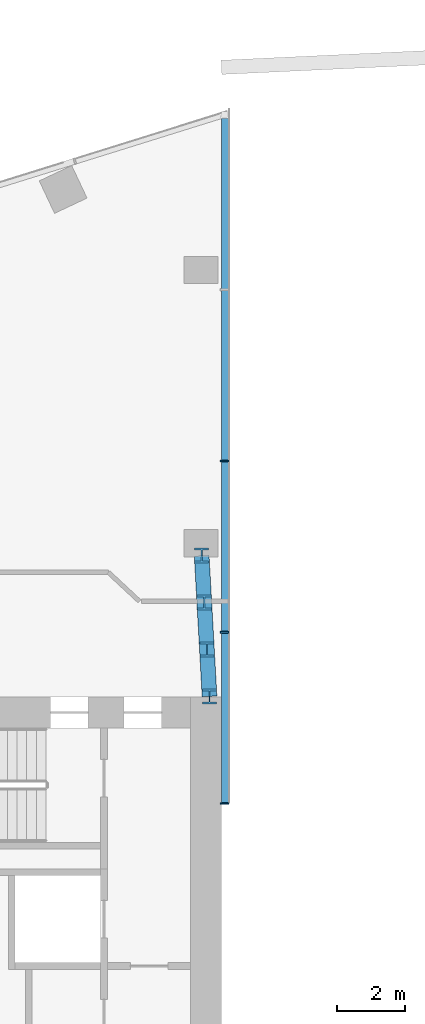
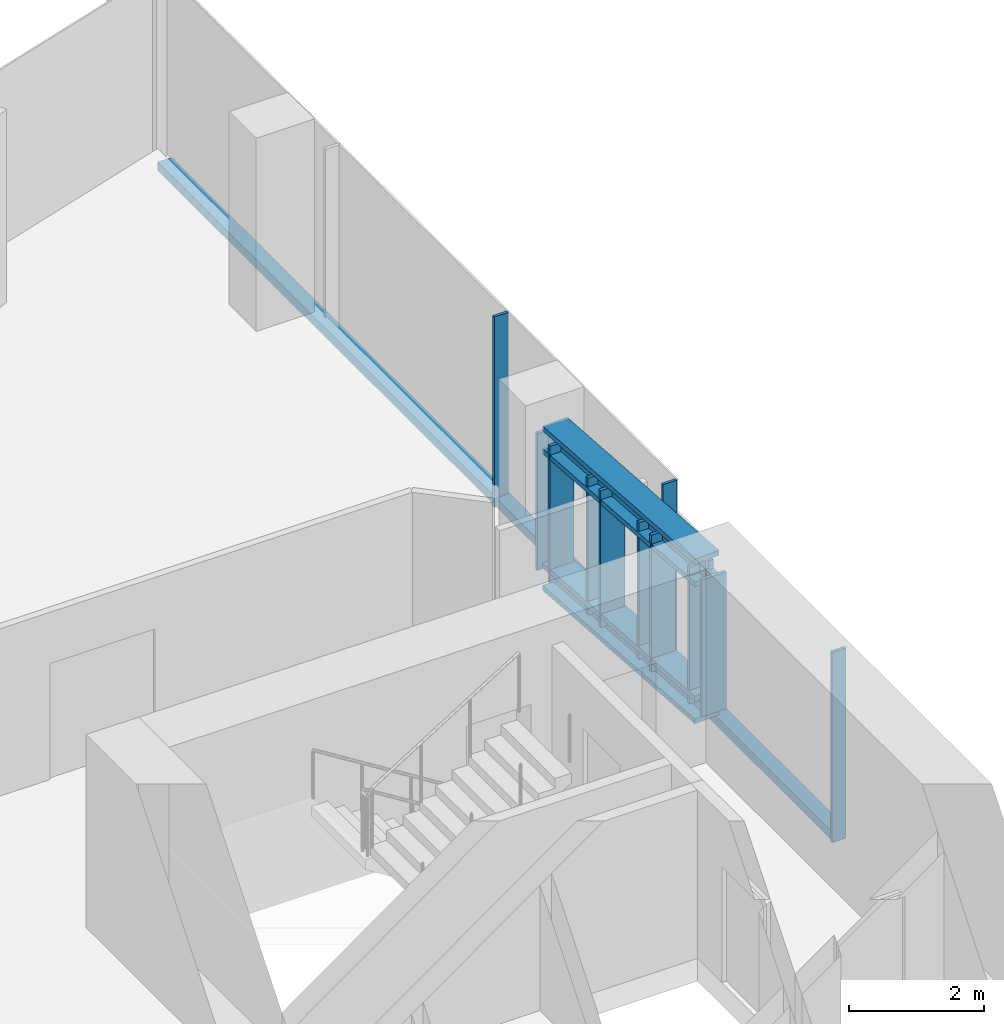
# One storey, part 7 of 24: 10 members, 1 element without a shape of its own.
"""IFC4 building model written with IfcOpenShell, lengths in metres."""

from ifc_helpers import new_model, si_unit, direction, frame, origin, origin_2d, place, context, subcontext, project, spatial, rectangle, i_section, extrude, material, material_profile, profile_set, type_object, element, aggregate, save


model = new_model("IFC4")

# Units and contexts
model_context = context("Model", 3, precision=1e-05, world=origin(), true_north=direction((0.0, 1.0)))
body_context = subcontext(model_context, "Body", "Model", "MODEL_VIEW")
ifc_project = project(units=[si_unit("LENGTHUNIT", "METRE"), si_unit("AREAUNIT", "SQUARE_METRE"), si_unit("VOLUMEUNIT", "CUBIC_METRE"), si_unit("PLANEANGLEUNIT", "RADIAN"), si_unit("MASSUNIT", "GRAM", prefix="KILO")], contexts=[model_context])

# Site, building, storey
site_placement = place(None, origin())
site = spatial("IfcSite", under=ifc_project, at=site_placement, CompositionType="ELEMENT")
building_placement = place(site_placement, origin())
building = spatial("IfcBuilding", under=site, at=building_placement, Name="Orlundy Tower", CompositionType="ELEMENT")
storey_placement = place(building_placement, frame((0.0, 0.0, 267.5)))
storey = spatial("IfcBuildingStorey", under=building, at=storey_placement, Name="L71", CompositionType="ELEMENT", Elevation=267.5)

# Curtain wall, members
ifc_material_1 = material(Name="Aluminium bronze anodised", Category="aluminium")
curtain_wall_type = type_object("IfcCurtainWallType", Name="CW1 wall", PredefinedType="NOTDEFINED", material=ifc_material_1)
curtain_wall_placement = place(storey_placement, origin())
curtain_wall = element("IfcCurtainWall", 1, at=curtain_wall_placement, inside=storey, type_object=curtain_wall_type, Name="CW1 run 04", PredefinedType="NOTDEFINED")
ifc_material_2 = material(Name="Aluminium bronze anodised", Category="aluminium")
ifc_material_profile_1 = material_profile(ifc_material_2, rectangle(XDim=0.239990234375, YDim=0.050048828125, at=origin_2d()), Name="CW6 mullion 50x240")
ifc_profile_set_1 = profile_set([ifc_material_profile_1], Name="Aluminium bronze anodised")
member_type_1 = type_object("IfcMemberType", Name="CW6 mullion 50x240", PredefinedType="MULLION", material=ifc_profile_set_1)
member_1_placement = place(storey_placement, frame((-7.909912109375, 18.908203125, -0.39990234375), z_axis=(0.0, 0.0, 1.0), x_axis=(1.0, 0.0, 0.0)))
member_1 = element("IfcMember", 2, at=member_1_placement, type_object=member_type_1, Name="CW6 mullion 18", PredefinedType="MULLION", context=body_context, shape_type="SweptSolid", body=[
    extrude(rectangle(XDim=0.239990234375, YDim=0.050048828125, at=origin_2d()), origin(), (0.0, 0.0, 1.0), 3.449951171875),
])
member_2_placement = place(storey_placement, frame((-7.909912109375, 13.897216796875, -0.39990234375), z_axis=(0.0, 0.0, 1.0), x_axis=(1.0, 0.0, 0.0)))
member_2 = element("IfcMember", 3, at=member_2_placement, type_object=member_type_1, Name="CW6 mullion 19", PredefinedType="MULLION", context=body_context, shape_type="SweptSolid", body=[
    extrude(rectangle(XDim=0.239990234375, YDim=0.050048828125, at=origin_2d()), origin(), (0.0, 0.0, 1.0), 3.449951171875),
])
member_3_placement = place(storey_placement, frame((-7.909912109375, 8.88623046875, -0.39990234375), z_axis=(0.0, 0.0, 1.0), x_axis=(1.0, 0.0, 0.0)))
member_3 = element("IfcMember", 4, at=member_3_placement, type_object=member_type_1, Name="CW6 mullion 20", PredefinedType="MULLION", context=body_context, shape_type="SweptSolid", body=[
    extrude(rectangle(XDim=0.239990234375, YDim=0.050048828125, at=origin_2d()), origin(), (0.0, 0.0, 1.0), 3.449951171875),
])
ifc_material_3 = material(Name="Aluminium bronze anodised", Category="aluminium")
ifc_material_profile_2 = material_profile(ifc_material_3, rectangle(XDim=0.239990234375, YDim=0.159912109375, at=origin_2d()), Name="CW6 transom 240x160")
ifc_profile_set_2 = profile_set([ifc_material_profile_2], Name="Aluminium bronze anodised")
member_type_2 = type_object("IfcMemberType", Name="CW6 transom 240x160", PredefinedType="USERDEFINED", material=ifc_profile_set_2)
member_4_placement = place(storey_placement, frame((-7.8798828125, 28.929931640625, -0.320068359375), z_axis=(0.0, -1.0, 0.0), x_axis=(1.0, 0.0, 0.0)))
member_4 = element("IfcMember", 5, at=member_4_placement, type_object=member_type_2, Name="CW6 transom", ObjectType="TRANSOM", PredefinedType="USERDEFINED", context=body_context, shape_type="SweptSolid", body=[
    extrude(rectangle(XDim=0.239990234375, YDim=0.159912109375, at=origin_2d()), origin(), (0.0, 0.0, 1.0), 20.0185546875),
])
aggregate(curtain_wall, [member_1, member_2, member_3, member_4])

# Members
ifc_material_4 = material(Name="Steel ASTM A992 Gr 50", Category="steel")
ifc_material_profile_3 = material_profile(ifc_material_4, i_section(OverallWidth=0.43212890625, OverallDepth=0.497802734375, WebThickness=0.0556640625, FlangeThickness=0.0888671875, at=origin_2d()), Name="W14X500")
ifc_profile_set_3 = profile_set([ifc_material_profile_3], Name="Steel ASTM A992 Gr 50")
member_type_3 = type_object("IfcMemberType", Name="PORTAL EDGE TRUSS chord W14X500", PredefinedType="CHORD", material=ifc_profile_set_3)
for number, where, z_axis, x_axis, name in (
    (6, (-8.35009765625, 12.02001953125, 0.28466796875), (-0.05566660133, 0.998449412588, 0.0), (-0.998449412588, -0.05566660133, 0.0), "Portal edge truss bottom chord PE-WN"),
    (7, (-8.35009765625, 12.02001953125, 2.765380859375), (-0.05566660133, 0.998449412588, 0.0), (-0.998449412588, -0.05566660133, 0.0), "Portal edge truss top chord PE-WN"),
):
    element("IfcMember", number, at=place(storey_placement, frame(where, z_axis=z_axis, x_axis=x_axis)), inside=storey, type_object=member_type_3, Name=name, PredefinedType="CHORD", context=body_context, shape_type="SweptSolid", body=[
        extrude(i_section(OverallWidth=0.43212890625, OverallDepth=0.497802734375, WebThickness=0.0556640625, FlangeThickness=0.0888671875, at=origin_2d()), origin(), (0.0, 0.0, 1.0), 4.126953125),
    ])
ifc_material_5 = material(Name="Steel ASTM A992 Gr 50", Category="steel")
ifc_material_profile_4 = material_profile(ifc_material_5, i_section(OverallWidth=0.412109375, OverallDepth=0.434814453125, WebThickness=0.035888671875, FlangeThickness=0.057373046875, at=origin_2d()), Name="W14X311")
ifc_profile_set_4 = profile_set([ifc_material_profile_4], Name="Steel ASTM A992 Gr 50")
member_type_4 = type_object("IfcMemberType", Name="PORTAL EDGE TRUSS post W14X311", PredefinedType="POST", material=ifc_profile_set_4)
for number, where, z_axis, x_axis, name in (
    (8, (-8.35009765625, 12.02001953125, 0.28466796875), (0.0, 0.0, 1.0), (1.0, 0.0, 0.0), "Portal edge truss post PE-WN-0"),
    (9, (-8.426513671875, 13.3935546875, 0.28466796875), (0.0, 0.0, 1.0), (1.0, 0.0, 0.0), "Portal edge truss post PE-WN-1"),
    (10, (-8.50341796875, 14.76708984375, 0.28466796875), (0.0, 0.0, 1.0), (1.0, 0.0, 0.0), "Portal edge truss post PE-WN-2"),
    (11, (-8.579833984375, 16.140625, 0.28466796875), (0.0, 0.0, 1.0), (1.0, 0.0, 0.0), "Portal edge truss post PE-WN-3"),
):
    element("IfcMember", number, at=place(storey_placement, frame(where, z_axis=z_axis, x_axis=x_axis)), inside=storey, type_object=member_type_4, Name=name, PredefinedType="POST", context=body_context, shape_type="SweptSolid", body=[
        extrude(i_section(OverallWidth=0.412109375, OverallDepth=0.434814453125, WebThickness=0.035888671875, FlangeThickness=0.057373046875, at=origin_2d()), origin(), (0.0, 0.0, 1.0), 2.480712890625),
    ])

save(model, "model.ifc")
